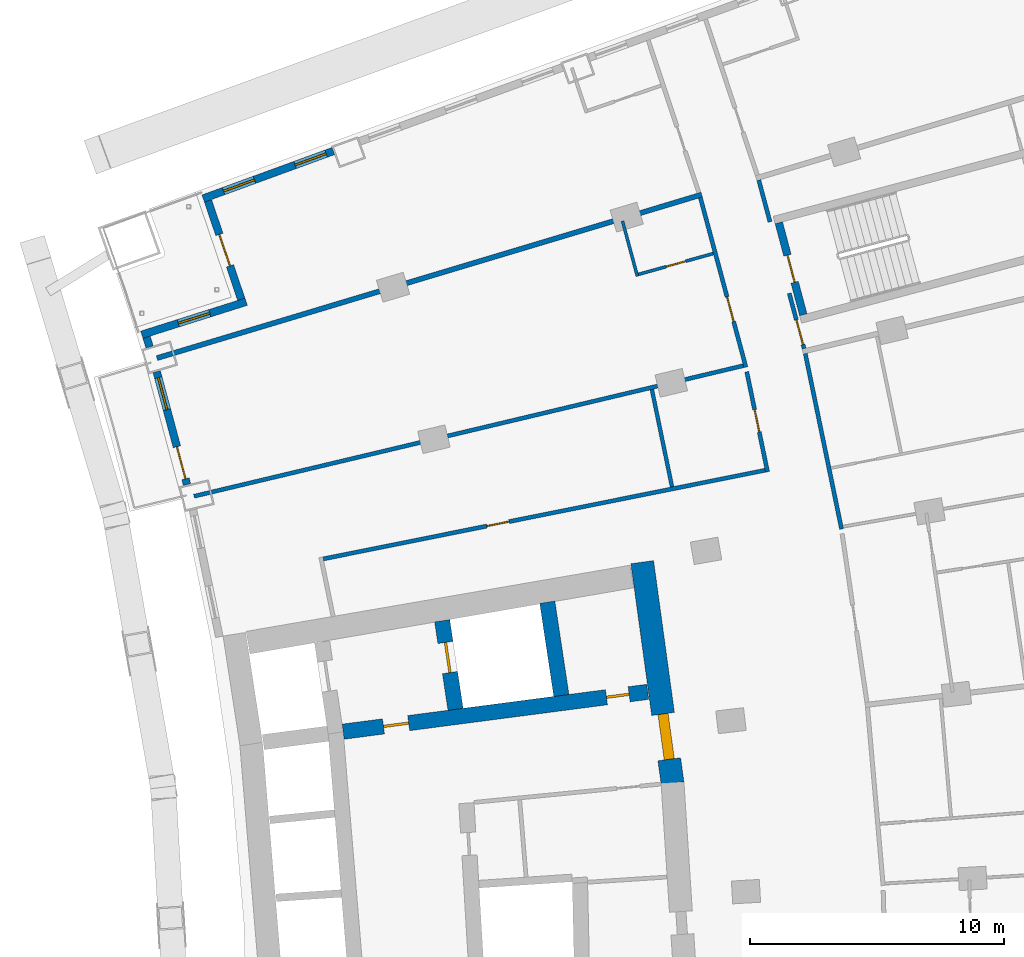
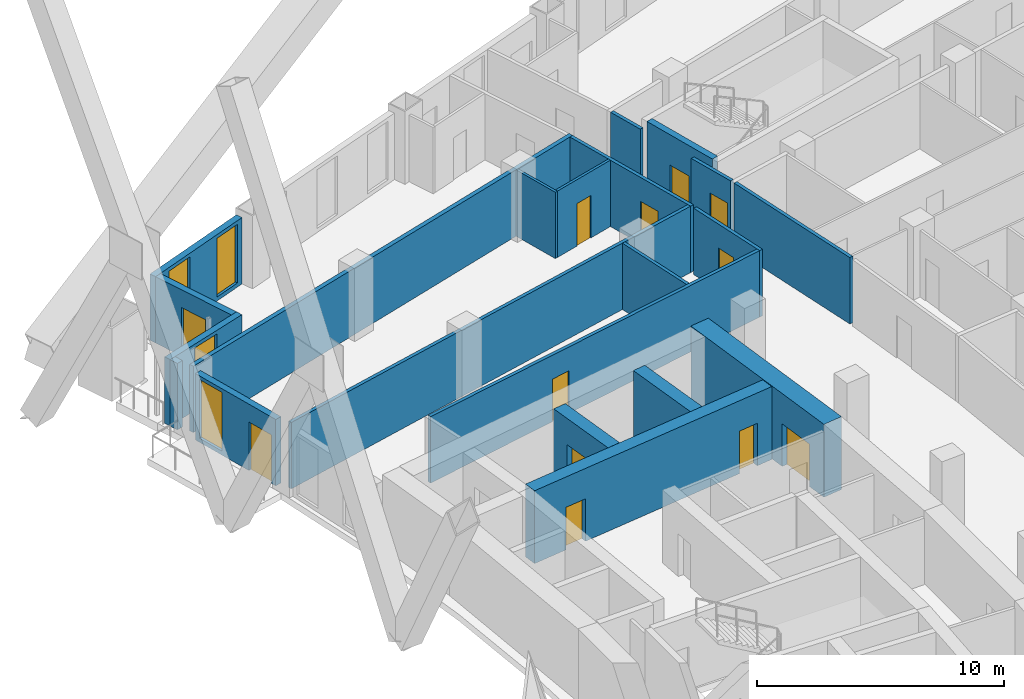
# One storey, part 17 of 23: 21 walls, 12 doors, 4 windows, 16 openings.
"""IFC4 building model written with IfcOpenShell, lengths in metres."""

from ifc_helpers import new_model, si_unit, direction, frame, frame_2d, origin, place, context, subcontext, project, spatial, rectangle, extrude, material, layer, layer_set, type_object, element, fill, save


model = new_model("IFC4")

# Units and contexts
model_context = context("Model", 3, precision=1e-05, world=origin(), true_north=direction((0.0, 1.0)))
body_context = subcontext(model_context, "Body", "Model", "MODEL_VIEW")
ifc_project = project(units=[si_unit("LENGTHUNIT", "METRE"), si_unit("AREAUNIT", "SQUARE_METRE"), si_unit("VOLUMEUNIT", "CUBIC_METRE"), si_unit("PLANEANGLEUNIT", "RADIAN"), si_unit("MASSUNIT", "GRAM", prefix="KILO")], contexts=[model_context])

# Site, building, storey
site_placement = place(None, origin())
site = spatial("IfcSite", under=ifc_project, at=site_placement, CompositionType="ELEMENT")
building_placement = place(site_placement, origin())
building = spatial("IfcBuilding", under=site, at=building_placement, Name="Alderwake Tower", CompositionType="ELEMENT")
storey_placement = place(building_placement, frame((0.0, 0.0, 53.60009765625)))
storey = spatial("IfcBuildingStorey", under=building, at=storey_placement, Name="L12", CompositionType="ELEMENT", Elevation=53.60009765625)

# Wall, opening, door
ifc_material_1 = material(Name="Concrete C70/85", Category="concrete")
ifc_layer_1 = layer(ifc_material_1, 0.89990234375)
ifc_layer_set_1 = layer_set([ifc_layer_1], Name="Core wall outer 900 C70-85")
wall_type_1 = type_object("IfcWallType", Name="Core wall outer 900 C70-85", PredefinedType="SHEAR", material=ifc_layer_set_1)
wall_1_placement = place(storey_placement, frame((31.520263671875, 80.7177734375, 0.0), z_axis=(0.0, 0.0, 1.0), x_axis=(0.135844728876, -0.990730139663, 0.0)))
wall_1 = element("IfcWall", 1, at=wall_1_placement, inside=storey, type_object=wall_type_1, Name="Core wall CW.009", PredefinedType="SHEAR", context=body_context, shape_type="SweptSolid", body=[
    extrude(rectangle(XDim=8.78662109375, YDim=0.89990234375, at=frame_2d((4.393310546875, 0.0))), origin(), (0.0, 0.0, 1.0), 3.599853515625),
])
opening_1_placement = place(wall_1_placement, frame((6.02978515625, 0.0, 0.0)))
opening_1 = element("IfcOpeningElement", 2, at=opening_1_placement, cuts=wall_1, Name="Opening C001", PredefinedType="OPENING", context=body_context, shape_type="SweptSolid", body=[
    extrude(rectangle(XDim=1.800048828125, YDim=2.10009765625, at=frame_2d((0.89990234375, 1.050048828125))), frame((0.0, 0.4599609375, 0.0), z_axis=(0.0, -1.0, 0.0), x_axis=(1.0, 0.0, 0.0)), (0.0, 0.0, 1.0), 0.919921875),
])
ifc_material_2 = material(Name="Steel-framed fire door leaves", Category="steel")
door_type_1 = type_object("IfcDoorType", Name="Core double door 1800 fire-rated", OperationType="DOUBLE_DOOR_SINGLE_SWING", PredefinedType="DOOR", material=ifc_material_2)
door_1_placement = place(opening_1_placement, origin())
door_1 = element("IfcDoor", 3, at=door_1_placement, inside=storey, type_object=door_type_1, Name="Lobby double door", OperationType="DOUBLE_DOOR_SINGLE_SWING", OverallHeight=2.10009765625, OverallWidth=1.800048828125, PredefinedType="DOOR", context=body_context, shape_type="SweptSolid", body=[
    extrude(rectangle(XDim=1.800048828125, YDim=2.10009765625, at=frame_2d((0.89990234375, 1.050048828125))), frame((0.0, 0.199951171875, 0.0), z_axis=(0.0, -1.0, 0.0), x_axis=(1.0, 0.0, 0.0)), (0.0, 0.0, 1.0), 0.39990234375),
])
fill(opening_1, door_1)

ifc_material_3 = material(Name="Concrete C70/85", Category="concrete")
ifc_layer_2 = layer(ifc_material_3, 0.60009765625)
ifc_layer_set_2 = layer_set([ifc_layer_2], Name="Core wall spine 600 C70-85")
wall_type_2 = type_object("IfcWallType", Name="Core wall spine 600 C70-85", PredefinedType="SHEAR", material=ifc_layer_set_2)
wall_2_placement = place(storey_placement, frame((24.173095703125, 74.927734375, 0.0), z_axis=(0.0, 0.0, 1.0), x_axis=(-0.14910953086, 0.988820685365, 0.0)))
wall_2 = element("IfcWall", 4, at=wall_2_placement, inside=storey, type_object=wall_type_2, Name="Core wall CW.044", PredefinedType="SHEAR", context=body_context, shape_type="SweptSolid", body=[
    extrude(rectangle(XDim=3.5234375, YDim=0.60009765625, at=frame_2d((1.76171875, 0.0))), origin(), (0.0, 0.0, 1.0), 3.599853515625),
])
opening_2_placement = place(wall_2_placement, frame((1.4619140625, 0.0, 0.0)))
opening_2 = element("IfcOpeningElement", 5, at=opening_2_placement, cuts=wall_2, Name="Opening LD-FF2", PredefinedType="OPENING", context=body_context, shape_type="SweptSolid", body=[
    extrude(rectangle(XDim=1.199951171875, YDim=2.300048828125, at=frame_2d((0.60009765625, 1.14990234375))), frame((0.0, 0.31005859375, 0.0), z_axis=(0.0, -1.0, 0.0), x_axis=(1.0, 0.0, 0.0)), (0.0, 0.0, 1.0), 0.6201171875),
])
ifc_material_4 = material(Name="Stainless steel sliding leaf", Category="steel")
door_type_2 = type_object("IfcDoorType", Name="Lift landing door 1200", OperationType="SLIDING_TO_LEFT", PredefinedType="DOOR", material=ifc_material_4)
door_2_placement = place(opening_2_placement, origin())
door_2 = element("IfcDoor", 6, at=door_2_placement, inside=storey, type_object=door_type_2, Name="Lift landing door FF2", OperationType="SLIDING_TO_LEFT", OverallHeight=2.300048828125, OverallWidth=1.199951171875, PredefinedType="DOOR", context=body_context, shape_type="SweptSolid", body=[
    extrude(rectangle(XDim=1.199951171875, YDim=2.300048828125, at=frame_2d((0.60009765625, 1.14990234375))), frame((0.0, 0.050048828125, 0.0), z_axis=(0.0, -1.0, 0.0), x_axis=(1.0, 0.0, 0.0)), (0.0, 0.0, 1.0), 0.10009765625),
])
fill(opening_2, door_2)

# Wall
wall_3_placement = place(storey_placement, frame((28.337646484375, 75.472412109375, 0.0), z_axis=(0.0, 0.0, 1.0), x_axis=(-0.149224787751, 0.988803298296, 0.0)))
element("IfcWall", 7, at=wall_3_placement, inside=storey, type_object=wall_type_2, Name="Core wall CW.001", PredefinedType="SHEAR", context=body_context, shape_type="SweptSolid", body=[
    extrude(rectangle(XDim=3.712158203125, YDim=0.60009765625, at=frame_2d((1.85595703125, 0.0))), origin(), (0.0, 0.0, 1.0), 3.599853515625),
])

# Wall, openings, doors
wall_4_placement = place(storey_placement, frame((31.735595703125, 75.6142578125, 0.0), z_axis=(0.0, 0.0, 1.0), x_axis=(-0.991553829991, -0.129695806526, 0.0)))
wall_4 = element("IfcWall", 8, at=wall_4_placement, inside=storey, type_object=wall_type_2, Name="Core wall CW.052", PredefinedType="SHEAR", context=body_context, shape_type="SweptSolid", body=[
    extrude(rectangle(XDim=12.0869140625, YDim=0.60009765625, at=frame_2d((6.04345703125, 0.0))), origin(), (0.0, 0.0, 1.0), 3.599853515625),
])
opening_3_placement = place(wall_4_placement, frame((9.4873046875, 0.0, 0.0)))
opening_3 = element("IfcOpeningElement", 9, at=opening_3_placement, cuts=wall_4, Name="Opening C002", PredefinedType="OPENING", context=body_context, shape_type="SweptSolid", body=[
    extrude(rectangle(XDim=1.0, YDim=2.10009765625, at=frame_2d((0.5, 1.050048828125))), frame((0.0, 0.31005859375, 0.0), z_axis=(0.0, -1.0, 0.0), x_axis=(1.0, 0.0, 0.0)), (0.0, 0.0, 1.0), 0.6201171875),
])
opening_4_placement = place(wall_4_placement, frame((0.7373046875, 0.0, 0.0)))
opening_4 = element("IfcOpeningElement", 10, at=opening_4_placement, cuts=wall_4, Name="Opening C020", PredefinedType="OPENING", context=body_context, shape_type="SweptSolid", body=[
    extrude(rectangle(XDim=0.89990234375, YDim=2.10009765625, at=frame_2d((0.449951171875, 1.050048828125))), frame((0.0, 0.31005859375, 0.0), z_axis=(0.0, -1.0, 0.0), x_axis=(1.0, 0.0, 0.0)), (0.0, 0.0, 1.0), 0.6201171875),
])
ifc_material_5 = material(Name="Painted steel leaf", Category="steel")
door_type_3 = type_object("IfcDoorType", Name="Core room door 900", OperationType="SINGLE_SWING_LEFT", PredefinedType="DOOR", material=ifc_material_5)
door_3_placement = place(opening_4_placement, origin())
door_3 = element("IfcDoor", 11, at=door_3_placement, inside=storey, type_object=door_type_3, Name="Room door", OperationType="SINGLE_SWING_LEFT", OverallHeight=2.10009765625, OverallWidth=0.89990234375, PredefinedType="DOOR", context=body_context, shape_type="SweptSolid", body=[
    extrude(rectangle(XDim=0.89990234375, YDim=2.10009765625, at=frame_2d((0.449951171875, 1.050048828125))), frame((0.0, 0.050048828125, 0.0), z_axis=(0.0, -1.0, 0.0), x_axis=(1.0, 0.0, 0.0)), (0.0, 0.0, 1.0), 0.10009765625),
])
fill(opening_4, door_3)
ifc_material_6 = material(Name="Steel-framed fire door leaf", Category="steel")
door_type_4 = type_object("IfcDoorType", Name="Firefighting lobby door 1000 fire-rated", OperationType="SINGLE_SWING_LEFT", PredefinedType="DOOR", material=ifc_material_6)
door_4_placement = place(opening_3_placement, origin())
door_4 = element("IfcDoor", 12, at=door_4_placement, inside=storey, type_object=door_type_4, Name="Firefighting lobby door", OperationType="SINGLE_SWING_RIGHT", OverallHeight=2.10009765625, OverallWidth=1.0, PredefinedType="DOOR", context=body_context, shape_type="SweptSolid", body=[
    extrude(rectangle(XDim=1.0, YDim=2.10009765625, at=frame_2d((0.5, 1.050048828125))), frame((0.0, 0.050048828125, 0.0), z_axis=(0.0, -1.0, 0.0), x_axis=(1.0, 0.0, 0.0)), (0.0, 0.0, 1.0), 0.10009765625),
])
fill(opening_3, door_4)

# Wall, opening, door
ifc_material_7 = material(Name="Concrete C70/85", Category="concrete")
ifc_layer_3 = layer(ifc_material_7, 0.300048828125)
ifc_layer_set_3 = layer_set([ifc_layer_3], Name="Core wall stair enclosure 300 C70-85")
wall_type_3 = type_object("IfcWallType", Name="Core wall stair enclosure 300 C70-85", PredefinedType="SHEAR", material=ifc_layer_set_3)
wall_5_placement = place(storey_placement, frame((37.8603515625, 90.452392578125, 0.0), z_axis=(0.0, 0.0, 1.0), x_axis=(-0.257411420208, 0.966301899381, 0.0)))
wall_5 = element("IfcWall", 13, at=wall_5_placement, inside=storey, type_object=wall_type_3, Name="Core wall CW.083", PredefinedType="SHEAR", context=body_context, shape_type="SweptSolid", body=[
    extrude(rectangle(XDim=3.750244140625, YDim=0.300048828125, at=frame_2d((1.875, 0.0))), origin(), (0.0, 0.0, 1.0), 3.599853515625),
])
opening_5_placement = place(wall_5_placement, frame((1.324951171875, 0.0, 0.0)))
opening_5 = element("IfcOpeningElement", 14, at=opening_5_placement, cuts=wall_5, Name="Opening C062", PredefinedType="OPENING", context=body_context, shape_type="SweptSolid", body=[
    extrude(rectangle(XDim=1.10009765625, YDim=2.10009765625, at=frame_2d((0.550048828125, 1.050048828125))), frame((0.0, 0.159912109375, 0.0), z_axis=(0.0, -1.0, 0.0), x_axis=(1.0, 0.0, 0.0)), (0.0, 0.0, 1.0), 0.320068359375),
])
ifc_material_8 = material(Name="Steel-framed fire door leaf", Category="steel")
door_type_5 = type_object("IfcDoorType", Name="Core stair door 1100 fire-rated", OperationType="SINGLE_SWING_LEFT", PredefinedType="DOOR", material=ifc_material_8)
door_5_placement = place(opening_5_placement, origin())
door_5 = element("IfcDoor", 15, at=door_5_placement, inside=storey, type_object=door_type_5, Name="Stair door", OperationType="SINGLE_SWING_LEFT", OverallHeight=2.10009765625, OverallWidth=1.10009765625, PredefinedType="DOOR", context=body_context, shape_type="SweptSolid", body=[
    extrude(rectangle(XDim=1.10009765625, YDim=2.10009765625, at=frame_2d((0.550048828125, 1.050048828125))), frame((0.0, 0.02490234375, 0.0), z_axis=(0.0, -1.0, 0.0), x_axis=(1.0, 0.0, 0.0)), (0.0, 0.0, 1.0), 0.050048828125),
])
fill(opening_5, door_5)

ifc_material_9 = material(Name="Gypsum board on metal studs, rated")
ifc_layer_4 = layer(ifc_material_9, 0.159912109375)
ifc_layer_set_4 = layer_set([ifc_layer_4], Name="Corridor wall 160")
wall_type_4 = type_object("IfcWallType", Name="Corridor wall 160", PredefinedType="PARTITIONING", material=ifc_layer_set_4)
wall_6_placement = place(storey_placement, frame((35.600830078125, 88.392578125, 0.0), z_axis=(0.0, 0.0, 1.0), x_axis=(-0.2593979597, 0.965770520622, 0.0)))
wall_6 = element("IfcWall", 16, at=wall_6_placement, inside=storey, type_object=wall_type_4, Name="WL/L12/W20", PredefinedType="PARTITIONING", context=body_context, shape_type="SweptSolid", body=[
    extrude(rectangle(XDim=6.9072265625, YDim=0.159912109375, at=frame_2d((3.45361328125, 0.0))), origin(), (0.0, 0.0, 1.0), 3.27978515625),
])
opening_6_placement = place(wall_6_placement, frame((1.865478515625, 0.0, 0.0)))
opening_6 = element("IfcOpeningElement", 17, at=opening_6_placement, cuts=wall_6, Name="Opening R03-U11.1", PredefinedType="OPENING", context=body_context, shape_type="SweptSolid", body=[
    extrude(rectangle(XDim=1.0, YDim=2.10009765625, at=frame_2d((0.5, 1.050048828125))), frame((0.0, 0.08984375, 0.0), z_axis=(0.0, -1.0, 0.0), x_axis=(1.0, 0.0, 0.0)), (0.0, 0.0, 1.0), 0.179931640625),
])
ifc_material_10 = material(Name="Solid timber leaf in steel frame", Category="steel")
door_type_6 = type_object("IfcDoorType", Name="Flat entrance door 1000 fire-rated", OperationType="SINGLE_SWING_LEFT", PredefinedType="DOOR", material=ifc_material_10)
door_6_placement = place(opening_6_placement, origin())
door_6 = element("IfcDoor", 18, at=door_6_placement, inside=storey, type_object=door_type_6, Name="DR/L12/U11.1", OperationType="SINGLE_SWING_LEFT", OverallHeight=2.10009765625, OverallWidth=1.0, PredefinedType="DOOR", context=body_context, shape_type="SweptSolid", body=[
    extrude(rectangle(XDim=1.0, YDim=2.10009765625, at=frame_2d((0.5, 1.050048828125))), frame((0.0, 0.02490234375, 0.0), z_axis=(0.0, -1.0, 0.0), x_axis=(1.0, 0.0, 0.0)), (0.0, 0.0, 1.0), 0.050048828125),
])
fill(opening_6, door_6)

# Wall
wall_7_placement = place(storey_placement, frame((35.502197265625, 88.451416015625, 0.0), z_axis=(0.0, 0.0, 1.0), x_axis=(-0.972894913244, -0.231247676278, 0.0)))
element("IfcWall", 19, at=wall_7_placement, inside=storey, type_object=wall_type_4, Name="WL/L12/W22", PredefinedType="PARTITIONING", context=body_context, shape_type="SweptSolid", body=[
    extrude(rectangle(XDim=22.220458984375, YDim=0.159912109375, at=frame_2d((11.1103515625, 0.0))), origin(), (0.0, 0.0, 1.0), 3.27978515625),
])

# Wall, opening, door
wall_8_placement = place(storey_placement, frame((36.451416015625, 84.272705078125, 0.0), z_axis=(0.0, 0.0, 1.0), x_axis=(-0.203258199701, 0.979125172924, 0.0)))
wall_8 = element("IfcWall", 20, at=wall_8_placement, inside=storey, type_object=wall_type_4, Name="WL/L12/W23", PredefinedType="PARTITIONING", context=body_context, shape_type="SweptSolid", body=[
    extrude(rectangle(XDim=4.020263671875, YDim=0.159912109375, at=frame_2d((2.01025390625, 0.0))), origin(), (0.0, 0.0, 1.0), 3.27978515625),
])
opening_7_placement = place(wall_8_placement, frame((1.599609375, 0.0, 0.0)))
opening_7 = element("IfcOpeningElement", 21, at=opening_7_placement, cuts=wall_8, Name="Opening R03-SBN2", PredefinedType="OPENING", context=body_context, shape_type="SweptSolid", body=[
    extrude(rectangle(XDim=0.89990234375, YDim=2.10009765625, at=frame_2d((0.449951171875, 1.050048828125))), frame((0.0, 0.08984375, 0.0), z_axis=(0.0, -1.0, 0.0), x_axis=(1.0, 0.0, 0.0)), (0.0, 0.0, 1.0), 0.179931640625),
])
ifc_material_11 = material(Name="Painted timber leaf", Category="wood")
door_type_7 = type_object("IfcDoorType", Name="Room door 900", OperationType="SINGLE_SWING_LEFT", PredefinedType="DOOR", material=ifc_material_11)
door_7_placement = place(opening_7_placement, origin())
door_7 = element("IfcDoor", 22, at=door_7_placement, inside=storey, type_object=door_type_7, Name="DR/L12/SBN2", OperationType="SINGLE_SWING_LEFT", OverallHeight=2.10009765625, OverallWidth=0.89990234375, PredefinedType="DOOR", context=body_context, shape_type="SweptSolid", body=[
    extrude(rectangle(XDim=0.89990234375, YDim=2.10009765625, at=frame_2d((0.449951171875, 1.050048828125))), frame((0.0, 0.02490234375, 0.0), z_axis=(0.0, -1.0, 0.0), x_axis=(1.0, 0.0, 0.0)), (0.0, 0.0, 1.0), 0.050048828125),
])
fill(opening_7, door_7)

wall_9_placement = place(storey_placement, frame((18.969482421875, 80.84765625, 0.0), z_axis=(0.0, 0.0, 1.0), x_axis=(0.980470914622, 0.196664144112, 0.0)))
wall_9 = element("IfcWall", 23, at=wall_9_placement, inside=storey, type_object=wall_type_4, Name="WL/L12/W27", PredefinedType="PARTITIONING", context=body_context, shape_type="SweptSolid", body=[
    extrude(rectangle(XDim=17.733642578125, YDim=0.159912109375, at=frame_2d((8.86669921875, 0.0))), origin(), (0.0, 0.0, 1.0), 3.27978515625),
])
opening_8_placement = place(wall_9_placement, frame((6.556884765625, 0.0, 0.0)))
opening_8 = element("IfcOpeningElement", 24, at=opening_8_placement, cuts=wall_9, Name="Opening R03-SBN1", PredefinedType="OPENING", context=body_context, shape_type="SweptSolid", body=[
    extrude(rectangle(XDim=0.89990234375, YDim=2.10009765625, at=frame_2d((0.449951171875, 1.050048828125))), frame((0.0, 0.08984375, 0.0), z_axis=(0.0, -1.0, 0.0), x_axis=(1.0, 0.0, 0.0)), (0.0, 0.0, 1.0), 0.179931640625),
])
door_8_placement = place(opening_8_placement, origin())
door_8 = element("IfcDoor", 25, at=door_8_placement, inside=storey, type_object=door_type_7, Name="DR/L12/SBN1", OperationType="SINGLE_SWING_LEFT", OverallHeight=2.10009765625, OverallWidth=0.89990234375, PredefinedType="DOOR", context=body_context, shape_type="SweptSolid", body=[
    extrude(rectangle(XDim=0.89990234375, YDim=2.10009765625, at=frame_2d((0.449951171875, 1.050048828125))), frame((0.0, 0.02490234375, 0.0), z_axis=(0.0, -1.0, 0.0), x_axis=(1.0, 0.0, 0.0)), (0.0, 0.0, 1.0), 0.050048828125),
])
fill(opening_8, door_8)

# Wall
wall_10_placement = place(storey_placement, frame((36.549072265625, 94.110107421875, 0.0), z_axis=(0.0, 0.0, 1.0), x_axis=(-0.259813977097, 0.965658685719, 0.0)))
element("IfcWall", 26, at=wall_10_placement, inside=storey, type_object=wall_type_4, Name="WL/L12/W28", PredefinedType="PARTITIONING", context=body_context, shape_type="SweptSolid", body=[
    extrude(rectangle(XDim=1.70166015625, YDim=0.159912109375, at=frame_2d((0.850830078125, 0.0))), origin(), (0.0, 0.0, 1.0), 3.27978515625),
])

# Wall, opening, door
wall_11_placement = place(storey_placement, frame((37.304931640625, 91.299072265625, 0.0), z_axis=(0.0, 0.0, 1.0), x_axis=(0.259946294884, -0.965623075416, 0.0)))
wall_11 = element("IfcWall", 27, at=wall_11_placement, inside=storey, type_object=wall_type_4, Name="WL/L12/W31", PredefinedType="PARTITIONING", context=body_context, shape_type="SweptSolid", body=[
    extrude(rectangle(XDim=2.255126953125, YDim=0.159912109375, at=frame_2d((1.12744140625, 0.0))), origin(), (0.0, 0.0, 1.0), 3.27978515625),
])
opening_9_placement = place(wall_11_placement, frame((1.083984375, 0.0, 0.0)))
opening_9 = element("IfcOpeningElement", 28, at=opening_9_placement, cuts=wall_11, Name="Opening R03-U02.1", PredefinedType="OPENING", context=body_context, shape_type="SweptSolid", body=[
    extrude(rectangle(XDim=1.0, YDim=2.10009765625, at=frame_2d((0.5, 1.050048828125))), frame((0.0, 0.08984375, 0.0), z_axis=(0.0, -1.0, 0.0), x_axis=(1.0, 0.0, 0.0)), (0.0, 0.0, 1.0), 0.179931640625),
])
door_9_placement = place(opening_9_placement, origin())
door_9 = element("IfcDoor", 29, at=door_9_placement, inside=storey, type_object=door_type_6, Name="DR/L12/U02.1", OperationType="SINGLE_SWING_LEFT", OverallHeight=2.10009765625, OverallWidth=1.0, PredefinedType="DOOR", context=body_context, shape_type="SweptSolid", body=[
    extrude(rectangle(XDim=1.0, YDim=2.10009765625, at=frame_2d((0.5, 1.050048828125))), frame((0.0, 0.02490234375, 0.0), z_axis=(0.0, -1.0, 0.0), x_axis=(1.0, 0.0, 0.0)), (0.0, 0.0, 1.0), 0.050048828125),
])
fill(opening_9, door_9)

# Walls
wall_12_placement = place(storey_placement, frame((39.3642578125, 82.022705078125, 0.0), z_axis=(0.0, 0.0, 1.0), x_axis=(-0.20240521091, 0.979301858773, 0.0)))
element("IfcWall", 30, at=wall_12_placement, inside=storey, type_object=wall_type_4, Name="WL/L12/W33", PredefinedType="PARTITIONING", context=body_context, shape_type="SweptSolid", body=[
    extrude(rectangle(XDim=7.05029296875, YDim=0.159912109375, at=frame_2d((3.525146484375, 0.0))), origin(), (0.0, 0.0, 1.0), 3.27978515625),
])
ifc_material_12 = material(Name="Precast concrete C50/60 spandrel panel", Category="concrete")
ifc_layer_5 = layer(ifc_material_12, 0.300048828125)
ifc_layer_set_5 = layer_set([ifc_layer_5], Name="External wall EW1 Precast concrete C50/60 spandrel")
wall_type_5 = type_object("IfcWallType", Name="External wall EW1 Precast concrete C50/60 spandrel", PredefinedType="SOLIDWALL", material=ifc_layer_set_5)
wall_13_placement = place(storey_placement, frame((12.01416015625, 89.5703125, 0.0), z_axis=(0.0, 0.0, 1.0), x_axis=(0.29468230117, -0.955595281161, 0.0)))
element("IfcWall", 31, at=wall_13_placement, inside=storey, type_object=wall_type_5, Name="External wall 32", PredefinedType="SOLIDWALL", context=body_context, shape_type="SweptSolid", body=[
    extrude(rectangle(XDim=0.402587890625, YDim=0.300048828125, at=frame_2d((0.201171875, 0.0))), origin(), (0.0, 0.0, 1.0), 3.27978515625),
])

# Wall, openings, door, window
wall_14_placement = place(storey_placement, frame((12.4130859375, 88.212890625, 0.0), z_axis=(0.0, 0.0, 1.0), x_axis=(0.259495671332, -0.965744270788, 0.0)))
wall_14 = element("IfcWall", 32, at=wall_14_placement, inside=storey, type_object=wall_type_5, Name="External wall 33", PredefinedType="SOLIDWALL", context=body_context, shape_type="SweptSolid", body=[
    extrude(rectangle(XDim=4.599609375, YDim=0.300048828125, at=frame_2d((2.2998046875, 0.0))), origin(), (0.0, 0.0, 1.0), 3.27978515625),
])
opening_10_placement = place(wall_14_placement, frame((0.2412109375, 0.0, 0.199951171875)))
opening_10 = element("IfcOpeningElement", 33, at=opening_10_placement, cuts=wall_14, Name="Opening W1", PredefinedType="OPENING", context=body_context, shape_type="SweptSolid", body=[
    extrude(rectangle(XDim=1.300048828125, YDim=2.89990234375, at=frame_2d((0.64990234375, 1.449951171875))), frame((0.0, 0.159912109375, 0.0), z_axis=(0.0, -1.0, 0.0), x_axis=(1.0, 0.0, 0.0)), (0.0, 0.0, 1.0), 0.320068359375),
])
opening_11_placement = place(wall_14_placement, frame((3.058349609375, 0.0, 0.0)))
opening_11 = element("IfcOpeningElement", 34, at=opening_11_placement, cuts=wall_14, Name="Opening D14", PredefinedType="OPENING", context=body_context, shape_type="SweptSolid", body=[
    extrude(rectangle(XDim=1.300048828125, YDim=2.39990234375, at=frame_2d((0.64990234375, 1.199951171875))), frame((0.0, 0.159912109375, 0.0), z_axis=(0.0, -1.0, 0.0), x_axis=(1.0, 0.0, 0.0)), (0.0, 0.0, 1.0), 0.320068359375),
])
ifc_material_13 = material(Name="Bronze tinted glass in aluminium frame", Category="aluminium")
door_type_8 = type_object("IfcDoorType", Name="Balcony door BD sliding", OperationType="SLIDING_TO_LEFT", PredefinedType="DOOR", material=ifc_material_13)
door_10_placement = place(opening_11_placement, origin())
door_10 = element("IfcDoor", 35, at=door_10_placement, inside=storey, type_object=door_type_8, Name="Door D14", OperationType="SLIDING_TO_LEFT", OverallHeight=2.39990234375, OverallWidth=1.300048828125, PredefinedType="DOOR", context=body_context, shape_type="SweptSolid", body=[
    extrude(rectangle(XDim=1.300048828125, YDim=2.39990234375, at=frame_2d((0.64990234375, 1.199951171875))), frame((0.0, 0.02490234375, 0.0), z_axis=(0.0, -1.0, 0.0), x_axis=(1.0, 0.0, 0.0)), (0.0, 0.0, 1.0), 0.050048828125),
])
fill(opening_11, door_10)
ifc_material_14 = material(Name="Bronze tinted glass in aluminium frame", Category="aluminium")
window_type = type_object("IfcWindowType", Name="Window W1 tall fixed and vent", PartitioningType="DOUBLE_PANEL_VERTICAL", PredefinedType="WINDOW", material=ifc_material_14)
window_1_placement = place(opening_10_placement, origin())
window_1 = element("IfcWindow", 36, at=window_1_placement, inside=storey, type_object=window_type, Name="Window W1 tall fixed and vent", OverallHeight=2.89990234375, OverallWidth=1.300048828125, PartitioningType="DOUBLE_PANEL_VERTICAL", PredefinedType="WINDOW", context=body_context, shape_type="SweptSolid", body=[
    extrude(rectangle(XDim=1.300048828125, YDim=2.89990234375, at=frame_2d((0.64990234375, 1.449951171875))), frame((0.0, 0.030029296875, 0.0), z_axis=(0.0, -1.0, 0.0), x_axis=(1.0, 0.0, 0.0)), (0.0, 0.0, 1.0), 0.06005859375),
])
fill(opening_10, window_1)

# Wall, openings, windows
ifc_material_15 = material(Name="Bronze metal cladding on lightweight framing")
ifc_layer_6 = layer(ifc_material_15, 0.300048828125)
ifc_layer_set_6 = layer_set([ifc_layer_6], Name="External wall EW2 bronze metal cladding")
wall_type_6 = type_object("IfcWallType", Name="External wall EW2 bronze metal cladding", PredefinedType="SOLIDWALL", material=ifc_layer_set_6)
wall_15_placement = place(storey_placement, frame((19.360595703125, 96.89697265625, 0.0), z_axis=(0.0, 0.0, 1.0), x_axis=(-0.939360985368, -0.342929933321, 0.0)))
wall_15 = element("IfcWall", 37, at=wall_15_placement, inside=storey, type_object=wall_type_6, Name="External wall 29", PredefinedType="SOLIDWALL", context=body_context, shape_type="SweptSolid", body=[
    extrude(rectangle(XDim=5.448974609375, YDim=0.300048828125, at=frame_2d((2.724609375, 0.0))), origin(), (0.0, 0.0, 1.0), 3.27978515625),
])
opening_12_placement = place(wall_15_placement, frame((0.2978515625, 0.0, 0.199951171875)))
opening_12 = element("IfcOpeningElement", 38, at=opening_12_placement, cuts=wall_15, Name="Opening W1", PredefinedType="OPENING", context=body_context, shape_type="SweptSolid", body=[
    extrude(rectangle(XDim=1.300048828125, YDim=2.89990234375, at=frame_2d((0.64990234375, 1.449951171875))), frame((0.0, 0.159912109375, 0.0), z_axis=(0.0, -1.0, 0.0), x_axis=(1.0, 0.0, 0.0)), (0.0, 0.0, 1.0), 0.320068359375),
])
opening_13_placement = place(wall_15_placement, frame((3.298583984375, 0.0, 0.199951171875)))
opening_13 = element("IfcOpeningElement", 39, at=opening_13_placement, cuts=wall_15, Name="Opening W1", PredefinedType="OPENING", context=body_context, shape_type="SweptSolid", body=[
    extrude(rectangle(XDim=1.300048828125, YDim=2.89990234375, at=frame_2d((0.64990234375, 1.449951171875))), frame((0.0, 0.159912109375, 0.0), z_axis=(0.0, -1.0, 0.0), x_axis=(1.0, 0.0, 0.0)), (0.0, 0.0, 1.0), 0.320068359375),
])
window_2_placement = place(opening_12_placement, origin())
window_2 = element("IfcWindow", 40, at=window_2_placement, inside=storey, type_object=window_type, Name="Window W1 tall fixed and vent", OverallHeight=2.89990234375, OverallWidth=1.300048828125, PartitioningType="DOUBLE_PANEL_VERTICAL", PredefinedType="WINDOW", context=body_context, shape_type="SweptSolid", body=[
    extrude(rectangle(XDim=1.300048828125, YDim=2.89990234375, at=frame_2d((0.64990234375, 1.449951171875))), frame((0.0, 0.030029296875, 0.0), z_axis=(0.0, -1.0, 0.0), x_axis=(1.0, 0.0, 0.0)), (0.0, 0.0, 1.0), 0.06005859375),
])
fill(opening_12, window_2)
window_3_placement = place(opening_13_placement, origin())
window_3 = element("IfcWindow", 41, at=window_3_placement, inside=storey, type_object=window_type, Name="Window W1 tall fixed and vent", OverallHeight=2.89990234375, OverallWidth=1.300048828125, PartitioningType="DOUBLE_PANEL_VERTICAL", PredefinedType="WINDOW", context=body_context, shape_type="SweptSolid", body=[
    extrude(rectangle(XDim=1.300048828125, YDim=2.89990234375, at=frame_2d((0.64990234375, 1.449951171875))), frame((0.0, 0.030029296875, 0.0), z_axis=(0.0, -1.0, 0.0), x_axis=(1.0, 0.0, 0.0)), (0.0, 0.0, 1.0), 0.06005859375),
])
fill(opening_13, window_3)

# Wall, opening, door
wall_16_placement = place(storey_placement, frame((14.430908203125, 94.937744140625, 0.0), z_axis=(0.0, 0.0, 1.0), x_axis=(0.320379458656, -0.947289291859, 0.0)))
wall_16 = element("IfcWall", 42, at=wall_16_placement, inside=storey, type_object=wall_type_6, Name="External wall 30", PredefinedType="SOLIDWALL", context=body_context, shape_type="SweptSolid", body=[
    extrude(rectangle(XDim=4.08984375, YDim=0.300048828125, at=frame_2d((2.044921875, 0.0))), origin(), (0.0, 0.0, 1.0), 3.27978515625),
])
opening_14_placement = place(wall_16_placement, frame((1.39501953125, 0.0, 0.0)))
opening_14 = element("IfcOpeningElement", 43, at=opening_14_placement, cuts=wall_16, Name="Opening D13", PredefinedType="OPENING", context=body_context, shape_type="SweptSolid", body=[
    extrude(rectangle(XDim=1.300048828125, YDim=2.39990234375, at=frame_2d((0.64990234375, 1.199951171875))), frame((0.0, 0.159912109375, 0.0), z_axis=(0.0, -1.0, 0.0), x_axis=(1.0, 0.0, 0.0)), (0.0, 0.0, 1.0), 0.320068359375),
])
door_11_placement = place(opening_14_placement, origin())
door_11 = element("IfcDoor", 44, at=door_11_placement, inside=storey, type_object=door_type_8, Name="Door D13", OperationType="SLIDING_TO_LEFT", OverallHeight=2.39990234375, OverallWidth=1.300048828125, PredefinedType="DOOR", context=body_context, shape_type="SweptSolid", body=[
    extrude(rectangle(XDim=1.300048828125, YDim=2.39990234375, at=frame_2d((0.64990234375, 1.199951171875))), frame((0.0, 0.02490234375, 0.0), z_axis=(0.0, -1.0, 0.0), x_axis=(1.0, 0.0, 0.0)), (0.0, 0.0, 1.0), 0.050048828125),
])
fill(opening_14, door_11)

# Wall, opening, window
wall_17_placement = place(storey_placement, frame((15.932373046875, 90.966552734375, 0.0), z_axis=(0.0, 0.0, 1.0), x_axis=(-0.953473772386, -0.301475978103, 0.0)))
wall_17 = element("IfcWall", 45, at=wall_17_placement, inside=storey, type_object=wall_type_6, Name="External wall 31", PredefinedType="SOLIDWALL", context=body_context, shape_type="SweptSolid", body=[
    extrude(rectangle(XDim=4.305908203125, YDim=0.300048828125, at=frame_2d((2.15283203125, 0.0))), origin(), (0.0, 0.0, 1.0), 3.27978515625),
])
opening_15_placement = place(wall_17_placement, frame((1.5029296875, 0.0, 0.199951171875)))
opening_15 = element("IfcOpeningElement", 46, at=opening_15_placement, cuts=wall_17, Name="Opening W1", PredefinedType="OPENING", context=body_context, shape_type="SweptSolid", body=[
    extrude(rectangle(XDim=1.300048828125, YDim=2.89990234375, at=frame_2d((0.64990234375, 1.449951171875))), frame((0.0, 0.159912109375, 0.0), z_axis=(0.0, -1.0, 0.0), x_axis=(1.0, 0.0, 0.0)), (0.0, 0.0, 1.0), 0.320068359375),
])
window_4_placement = place(opening_15_placement, origin())
window_4 = element("IfcWindow", 47, at=window_4_placement, inside=storey, type_object=window_type, Name="Window W1 tall fixed and vent", OverallHeight=2.89990234375, OverallWidth=1.300048828125, PartitioningType="DOUBLE_PANEL_VERTICAL", PredefinedType="WINDOW", context=body_context, shape_type="SweptSolid", body=[
    extrude(rectangle(XDim=1.300048828125, YDim=2.89990234375, at=frame_2d((0.64990234375, 1.449951171875))), frame((0.0, 0.030029296875, 0.0), z_axis=(0.0, -1.0, 0.0), x_axis=(1.0, 0.0, 0.0)), (0.0, 0.0, 1.0), 0.06005859375),
])
fill(opening_15, window_4)

# Walls
ifc_material_16 = material(Name="Dense block masonry wall", Category="masonry")
ifc_layer_7 = layer(ifc_material_16, 0.199951171875)
ifc_layer_set_7 = layer_set([ifc_layer_7], Name="Party wall 200")
wall_type_7 = type_object("IfcWallType", Name="Party wall 200", PredefinedType="SOLIDWALL", material=ifc_layer_set_7)
wall_18_placement = place(storey_placement, frame((33.859619140625, 95.18310546875, 0.0), z_axis=(0.0, 0.0, 1.0), x_axis=(-0.957787847597, -0.287475979859, 0.0)))
element("IfcWall", 48, at=wall_18_placement, inside=storey, type_object=wall_type_7, Name="WL/L12/W02", PredefinedType="SOLIDWALL", context=body_context, shape_type="SweptSolid", body=[
    extrude(rectangle(XDim=22.38134765625, YDim=0.199951171875, at=frame_2d((11.190673828125, 0.0))), origin(), (0.0, 0.0, 1.0), 3.27978515625),
])
ifc_material_17 = material(Name="Gypsum shaft wall system, rated")
ifc_layer_8 = layer(ifc_material_17, 0.14990234375)
ifc_layer_set_8 = layer_set([ifc_layer_8], Name="Riser and shaft wall 150")
wall_type_8 = type_object("IfcWallType", Name="Riser and shaft wall 150", PredefinedType="PARTITIONING", material=ifc_layer_set_8)
wall_19_placement = place(storey_placement, frame((32.69287109375, 83.682373046875, 0.0), z_axis=(0.0, 0.0, 1.0), x_axis=(-0.20266545775, 0.979248034073, 0.0)))
element("IfcWall", 49, at=wall_19_placement, inside=storey, type_object=wall_type_8, Name="WL/L12/W10", PredefinedType="PARTITIONING", context=body_context, shape_type="SweptSolid", body=[
    extrude(rectangle(XDim=3.911376953125, YDim=0.14990234375, at=frame_2d((1.95556640625, 0.0))), origin(), (0.0, 0.0, 1.0), 3.27978515625),
])
ifc_material_18 = material(Name="Moisture resistant gypsum board on metal studs")
ifc_layer_9 = layer(ifc_material_18, 0.1201171875)
ifc_layer_set_9 = layer_set([ifc_layer_9], Name="Wet room partition 120")
wall_type_9 = type_object("IfcWallType", Name="Wet room partition 120", PredefinedType="PARTITIONING", material=ifc_layer_set_9)
wall_20_placement = place(storey_placement, frame((30.742919921875, 94.1455078125, 0.0), z_axis=(0.0, 0.0, 1.0), x_axis=(0.260393144933, -0.965502672224, 0.0)))
element("IfcWall", 50, at=wall_20_placement, inside=storey, type_object=wall_type_9, Name="WL/L12/W44", PredefinedType="PARTITIONING", context=body_context, shape_type="SweptSolid", body=[
    extrude(rectangle(XDim=2.2529296875, YDim=0.1201171875, at=frame_2d((1.12646484375, 0.0))), origin(), (0.0, 0.0, 1.0), 3.27978515625),
])

# Wall, opening, door
wall_21_placement = place(storey_placement, frame((31.371826171875, 92.044189453125, 0.0), z_axis=(0.0, 0.0, 1.0), x_axis=(0.963351881246, 0.268240848677, 0.0)))
wall_21 = element("IfcWall", 51, at=wall_21_placement, inside=storey, type_object=wall_type_9, Name="WL/L12/W45", PredefinedType="PARTITIONING", context=body_context, shape_type="SweptSolid", body=[
    extrude(rectangle(XDim=3.05810546875, YDim=0.1201171875, at=frame_2d((1.529052734375, 0.0))), origin(), (0.0, 0.0, 1.0), 3.27978515625),
])
opening_16_placement = place(wall_21_placement, frame((1.129150390625, 0.0, 0.0)))
opening_16 = element("IfcOpeningElement", 52, at=opening_16_placement, cuts=wall_21, Name="Opening R03-U11.2", PredefinedType="OPENING", context=body_context, shape_type="SweptSolid", body=[
    extrude(rectangle(XDim=0.800048828125, YDim=2.10009765625, at=frame_2d((0.39990234375, 1.050048828125))), frame((0.0, 0.070068359375, 0.0), z_axis=(0.0, -1.0, 0.0), x_axis=(1.0, 0.0, 0.0)), (0.0, 0.0, 1.0), 0.14013671875),
])
ifc_material_19 = material(Name="Painted timber leaf", Category="wood")
door_type_9 = type_object("IfcDoorType", Name="Bathroom door 800", OperationType="SINGLE_SWING_LEFT", PredefinedType="DOOR", material=ifc_material_19)
door_12_placement = place(opening_16_placement, origin())
door_12 = element("IfcDoor", 53, at=door_12_placement, inside=storey, type_object=door_type_9, Name="DR/L12/U11.2", OperationType="SINGLE_SWING_LEFT", OverallHeight=2.10009765625, OverallWidth=0.800048828125, PredefinedType="DOOR", context=body_context, shape_type="SweptSolid", body=[
    extrude(rectangle(XDim=0.800048828125, YDim=2.10009765625, at=frame_2d((0.39990234375, 1.050048828125))), frame((0.0, 0.02490234375, 0.0), z_axis=(0.0, -1.0, 0.0), x_axis=(1.0, 0.0, 0.0)), (0.0, 0.0, 1.0), 0.050048828125),
])
fill(opening_16, door_12)

save(model, "model.ifc")
